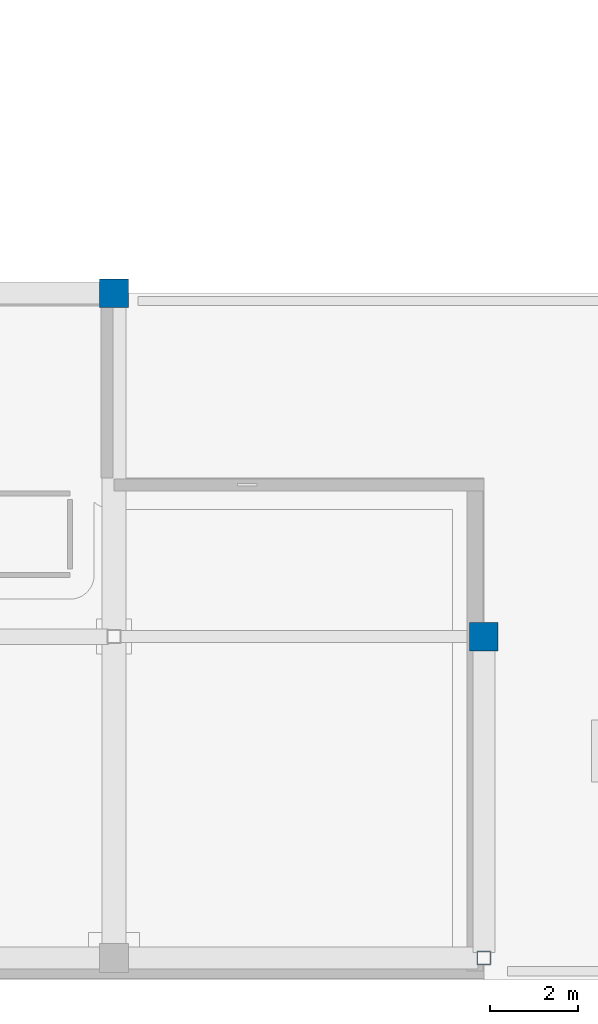
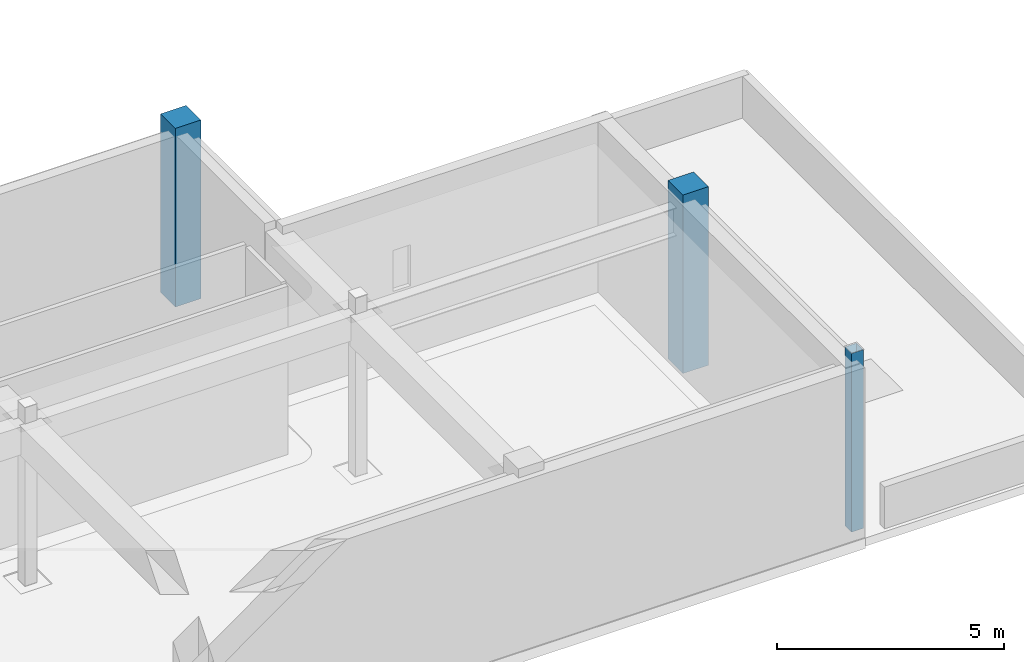
# One storey, part 5 of 123: 3 columns.
"""IFC4 building model written with IfcOpenShell, lengths in metres."""

from ifc_helpers import new_model, si_unit, direction, frame, origin, origin_2d, place, context, subcontext, project, spatial, rectangle, hollow_rectangle, extrude, material, material_profile, profile_set, type_object, element, save


model = new_model("IFC4")

# Units and contexts
model_context = context("Model", 3, precision=1e-05, world=origin(), true_north=direction((0.0, 1.0)))
body_context = subcontext(model_context, "Body", "Model", "MODEL_VIEW")
ifc_project = project(units=[si_unit("LENGTHUNIT", "METRE"), si_unit("AREAUNIT", "SQUARE_METRE"), si_unit("VOLUMEUNIT", "CUBIC_METRE"), si_unit("PLANEANGLEUNIT", "RADIAN"), si_unit("MASSUNIT", "GRAM", prefix="KILO")], contexts=[model_context])

# Site, building, storey
site_placement = place(None, origin())
site = spatial("IfcSite", under=ifc_project, at=site_placement, CompositionType="ELEMENT")
building_placement = place(site_placement, origin())
building = spatial("IfcBuilding", under=site, at=building_placement, Name="Quendrovan Civic Courthouse", CompositionType="ELEMENT")
storey_placement = place(building_placement, frame((0.0, 0.0, 5.39990234375)))
storey = spatial("IfcBuildingStorey", under=building, at=storey_placement, Name="L02", CompositionType="ELEMENT", Elevation=5.39990234375)

# Columns
ifc_material_1 = material(Name="Concrete C45/55", Category="concrete")
ifc_material_profile_1 = material_profile(ifc_material_1, rectangle(XDim=0.64990234375, YDim=0.64990234375, at=origin_2d()), Name="RC-COL-650x650")
ifc_profile_set_1 = profile_set([ifc_material_profile_1], Name="Concrete C45/55")
column_type_1 = type_object("IfcColumnType", Name="COL-RC650", PredefinedType="COLUMN", material=ifc_profile_set_1)
for number, where, z_axis, x_axis, name in (
    (1, (100.800048828125, 15.60009765625, 0.0), (0.0, 0.0, 1.0), (1.0, 0.0, 0.0), "L02 Column 13-C"),
    (2, (109.199951171875, 7.800048828125, 0.0), (0.0, 0.0, 1.0), (1.0, 0.0, 0.0), "L02 Column 14-B"),
):
    element("IfcColumn", number, at=place(storey_placement, frame(where, z_axis=z_axis, x_axis=x_axis)), inside=storey, type_object=column_type_1, Name=name, PredefinedType="COLUMN", context=body_context, shape_type="SweptSolid", body=[
        extrude(rectangle(XDim=0.64990234375, YDim=0.64990234375, at=origin_2d()), origin(), (0.0, 0.0, 1.0), 4.800048828125),
    ])
ifc_material_2 = material(Name="Steel ASTM A500 Grade C", Category="steel")
ifc_material_profile_2 = material_profile(ifc_material_2, hollow_rectangle(XDim=0.300048828125, YDim=0.300048828125, WallThickness=0.011962890625, at=origin_2d()), Name="HSS300x300x12")
ifc_profile_set_2 = profile_set([ifc_material_profile_2], Name="Steel ASTM A500 Grade C")
column_type_2 = type_object("IfcColumnType", Name="COL-STL-HSS300S", PredefinedType="COLUMN", material=ifc_profile_set_2)
column_placement = place(storey_placement, frame((109.199951171875, 0.5, 0.0), z_axis=(0.0, 0.0, 1.0), x_axis=(1.0, 0.0, 0.0)))
element("IfcColumn", 3, at=column_placement, inside=storey, type_object=column_type_2, Name="L02 Column 14-A", PredefinedType="COLUMN", context=body_context, shape_type="SweptSolid", body=[
    extrude(hollow_rectangle(XDim=0.300048828125, YDim=0.300048828125, WallThickness=0.011962890625, at=origin_2d()), origin(), (0.0, 0.0, 1.0), 4.800048828125),
])

save(model, "model.ifc")
